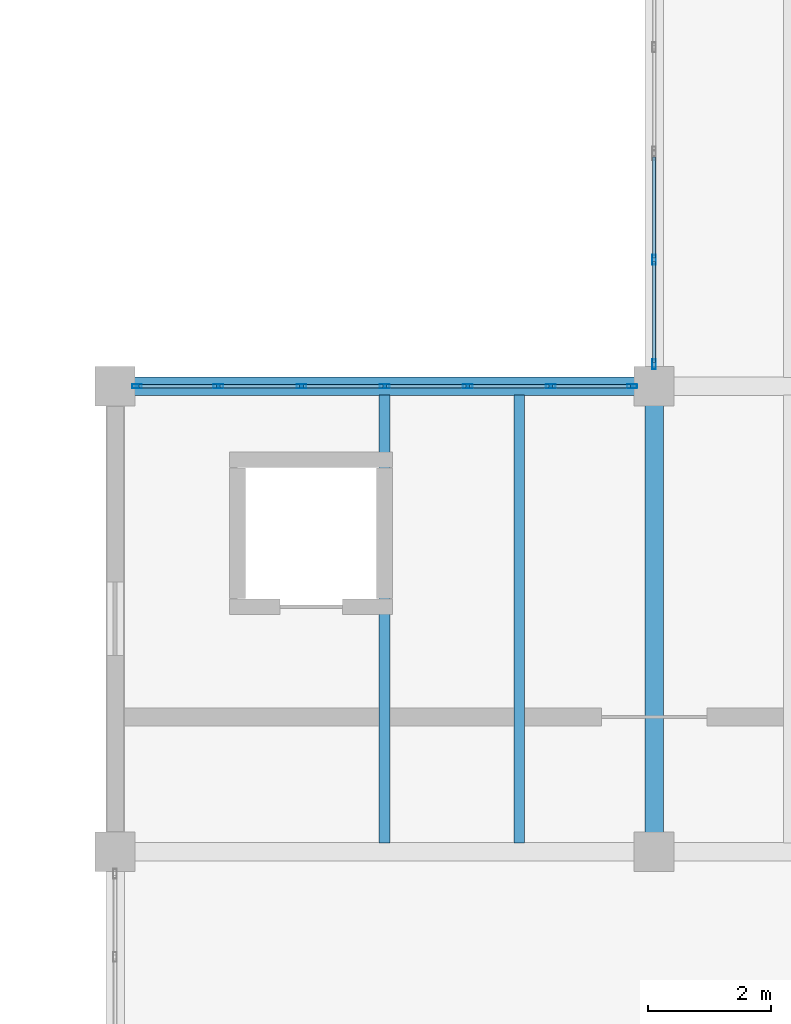
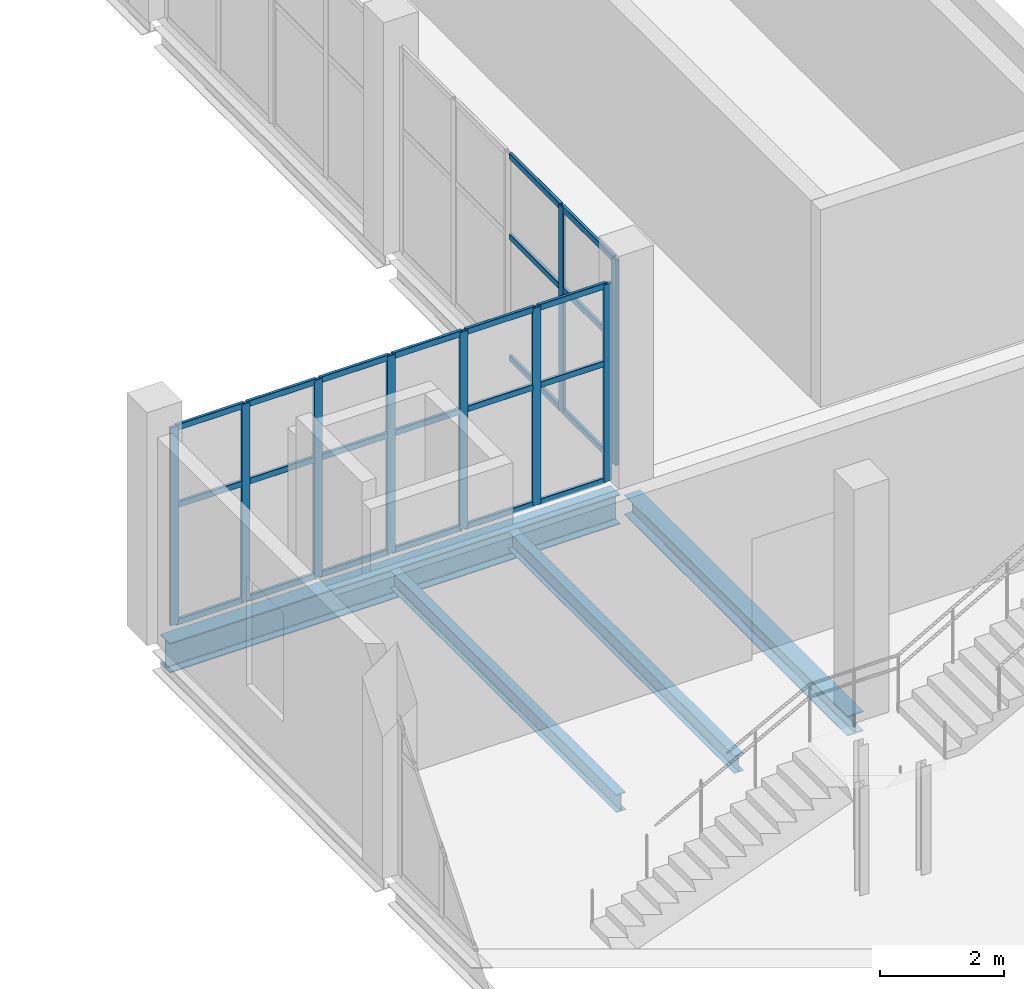
# One storey, part 96 of 172: 33 members, 4 beams, 2 elements without a shape of their own.
"""IFC4 building model written with IfcOpenShell, lengths in metres."""

from ifc_helpers import new_model, si_unit, direction, frame, origin, origin_2d, place, context, subcontext, project, spatial, hollow_rectangle, i_section, extrude, material, material_profile, profile_set, type_object, element, aggregate, save


model = new_model("IFC4")

# Units and contexts
model_context = context("Model", 3, precision=1e-05, world=origin(), true_north=direction((0.0, 1.0)))
body_context = subcontext(model_context, "Body", "Model", "MODEL_VIEW")
ifc_project = project(units=[si_unit("LENGTHUNIT", "METRE"), si_unit("AREAUNIT", "SQUARE_METRE"), si_unit("VOLUMEUNIT", "CUBIC_METRE"), si_unit("PLANEANGLEUNIT", "RADIAN"), si_unit("MASSUNIT", "GRAM", prefix="KILO")], contexts=[model_context])

# Site, building, storey
site_placement = place(None, origin())
site = spatial("IfcSite", under=ifc_project, at=site_placement, CompositionType="ELEMENT")
building_placement = place(site_placement, origin())
building = spatial("IfcBuilding", under=site, at=building_placement, Name="Shengluoqiao Park Theatre", CompositionType="ELEMENT")
storey_placement = place(building_placement, frame((0.0, 0.0, 5.39990234375)))
storey = spatial("IfcBuildingStorey", under=building, at=storey_placement, Name="L01", CompositionType="ELEMENT", Elevation=5.39990234375)

# Curtain wall, members
ifc_material_1 = material(Name="Aluminium 6063-T6", Category="aluminium")
curtain_wall_type = type_object("IfcCurtainWallType", Name="ENV-CW-COURT", PredefinedType="NOTDEFINED", material=ifc_material_1)
curtain_wall_1_placement = place(storey_placement, origin())
curtain_wall_1 = element("IfcCurtainWall", 1, at=curtain_wall_1_placement, inside=storey, type_object=curtain_wall_type, Name="L01 Curtain Wall CWX-L01-0179", PredefinedType="NOTDEFINED")
ifc_material_profile_1 = material_profile(ifc_material_1, hollow_rectangle(XDim=0.06005859375, YDim=0.159912109375, WallThickness=0.00390625, InnerFilletRadius=0.00390625, OuterFilletRadius=0.008056640625, at=origin_2d()), Name="ALU MULLION 160x60x4")
ifc_profile_set_1 = profile_set([ifc_material_profile_1], Name="Aluminium 6063-T6")
member_type_1 = type_object("IfcMemberType", Name="ENV-MUL-160", PredefinedType="MULLION", material=ifc_profile_set_1)
member_1_placement = place(storey_placement, frame((157.199951171875, 23.158935546875, 0.0), z_axis=(0.0, 0.0, 1.0), x_axis=(-1.0, 0.0, 0.0)))
member_1 = element("IfcMember", 2, at=member_1_placement, type_object=member_type_1, Name="CW-05 mullion 1", PredefinedType="MULLION", context=body_context, shape_type="SweptSolid", body=[
    extrude(hollow_rectangle(XDim=0.06005859375, YDim=0.159912109375, WallThickness=0.00390625, InnerFilletRadius=0.00390625, OuterFilletRadius=0.008056640625, at=origin_2d()), origin(), (0.0, 0.0, 1.0), 4.044189453125),
])
member_2_placement = place(storey_placement, frame((157.199951171875, 24.864501953125, 0.0), z_axis=(0.0, 0.0, 1.0), x_axis=(-1.0, 0.0, 0.0)))
member_2 = element("IfcMember", 3, at=member_2_placement, type_object=member_type_1, Name="CW-05 mullion 2", PredefinedType="MULLION", context=body_context, shape_type="SweptSolid", body=[
    extrude(hollow_rectangle(XDim=0.06005859375, YDim=0.159912109375, WallThickness=0.00390625, InnerFilletRadius=0.00390625, OuterFilletRadius=0.008056640625, at=origin_2d()), origin(), (0.0, 0.0, 1.0), 4.044189453125),
])

curtain_wall_2_placement = place(storey_placement, origin())
curtain_wall_2 = element("IfcCurtainWall", 4, at=curtain_wall_2_placement, inside=storey, type_object=curtain_wall_type, Name="L01 Curtain Wall CWX-L01-0206", PredefinedType="NOTDEFINED")
member_3_placement = place(storey_placement, frame((148.759033203125, 22.800048828125, 0.0), z_axis=(0.0, 0.0, 1.0), x_axis=(0.0, 1.0, 0.0)))
member_3 = element("IfcMember", 5, at=member_3_placement, type_object=member_type_1, Name="CW-05 mullion 1", PredefinedType="MULLION", context=body_context, shape_type="SweptSolid", body=[
    extrude(hollow_rectangle(XDim=0.06005859375, YDim=0.159912109375, WallThickness=0.00390625, InnerFilletRadius=0.00390625, OuterFilletRadius=0.008056640625, at=origin_2d()), origin(), (0.0, 0.0, 1.0), 3.898193359375),
])
member_4_placement = place(storey_placement, frame((150.0859375, 22.800048828125, 0.0), z_axis=(0.0, 0.0, 1.0), x_axis=(0.0, 1.0, 0.0)))
member_4 = element("IfcMember", 6, at=member_4_placement, type_object=member_type_1, Name="CW-05 mullion 2", PredefinedType="MULLION", context=body_context, shape_type="SweptSolid", body=[
    extrude(hollow_rectangle(XDim=0.06005859375, YDim=0.159912109375, WallThickness=0.00390625, InnerFilletRadius=0.00390625, OuterFilletRadius=0.008056640625, at=origin_2d()), origin(), (0.0, 0.0, 1.0), 3.898193359375),
])
member_5_placement = place(storey_placement, frame((151.443115234375, 22.800048828125, 0.0), z_axis=(0.0, 0.0, 1.0), x_axis=(0.0, 1.0, 0.0)))
member_5 = element("IfcMember", 7, at=member_5_placement, type_object=member_type_1, Name="CW-05 mullion 3", PredefinedType="MULLION", context=body_context, shape_type="SweptSolid", body=[
    extrude(hollow_rectangle(XDim=0.06005859375, YDim=0.159912109375, WallThickness=0.00390625, InnerFilletRadius=0.00390625, OuterFilletRadius=0.008056640625, at=origin_2d()), origin(), (0.0, 0.0, 1.0), 3.898193359375),
])
member_6_placement = place(storey_placement, frame((152.800048828125, 22.800048828125, 0.0), z_axis=(0.0, 0.0, 1.0), x_axis=(0.0, 1.0, 0.0)))
member_6 = element("IfcMember", 8, at=member_6_placement, type_object=member_type_1, Name="CW-05 mullion 4", PredefinedType="MULLION", context=body_context, shape_type="SweptSolid", body=[
    extrude(hollow_rectangle(XDim=0.06005859375, YDim=0.159912109375, WallThickness=0.00390625, InnerFilletRadius=0.00390625, OuterFilletRadius=0.008056640625, at=origin_2d()), origin(), (0.0, 0.0, 1.0), 3.898193359375),
])
member_7_placement = place(storey_placement, frame((154.156982421875, 22.800048828125, 0.0), z_axis=(0.0, 0.0, 1.0), x_axis=(0.0, 1.0, 0.0)))
member_7 = element("IfcMember", 9, at=member_7_placement, type_object=member_type_1, Name="CW-05 mullion 5", PredefinedType="MULLION", context=body_context, shape_type="SweptSolid", body=[
    extrude(hollow_rectangle(XDim=0.06005859375, YDim=0.159912109375, WallThickness=0.00390625, InnerFilletRadius=0.00390625, OuterFilletRadius=0.008056640625, at=origin_2d()), origin(), (0.0, 0.0, 1.0), 3.898193359375),
])
member_8_placement = place(storey_placement, frame((155.513916015625, 22.800048828125, 0.0), z_axis=(0.0, 0.0, 1.0), x_axis=(0.0, 1.0, 0.0)))
member_8 = element("IfcMember", 10, at=member_8_placement, type_object=member_type_1, Name="CW-05 mullion 6", PredefinedType="MULLION", context=body_context, shape_type="SweptSolid", body=[
    extrude(hollow_rectangle(XDim=0.06005859375, YDim=0.159912109375, WallThickness=0.00390625, InnerFilletRadius=0.00390625, OuterFilletRadius=0.008056640625, at=origin_2d()), origin(), (0.0, 0.0, 1.0), 3.898193359375),
])
member_9_placement = place(storey_placement, frame((156.841064453125, 22.800048828125, 0.0), z_axis=(0.0, 0.0, 1.0), x_axis=(0.0, 1.0, 0.0)))
member_9 = element("IfcMember", 11, at=member_9_placement, type_object=member_type_1, Name="CW-05 mullion 7", PredefinedType="MULLION", context=body_context, shape_type="SweptSolid", body=[
    extrude(hollow_rectangle(XDim=0.06005859375, YDim=0.159912109375, WallThickness=0.00390625, InnerFilletRadius=0.00390625, OuterFilletRadius=0.008056640625, at=origin_2d()), origin(), (0.0, 0.0, 1.0), 3.898193359375),
])

# Member
ifc_material_profile_2 = material_profile(ifc_material_1, hollow_rectangle(XDim=0.06005859375, YDim=0.1201171875, WallThickness=0.00390625, InnerFilletRadius=0.00390625, OuterFilletRadius=0.008056640625, at=origin_2d()), Name="ALU TRANSOM 120x60x4")
ifc_profile_set_2 = profile_set([ifc_material_profile_2], Name="Aluminium 6063-T6")
member_type_2 = type_object("IfcMemberType", Name="ENV-TRN-120", PredefinedType="USERDEFINED", material=ifc_profile_set_2)
member_10_placement = place(storey_placement, frame((157.199951171875, 23.18896484375, 0.030029296875), z_axis=(0.0, 1.0, 0.0), x_axis=(-1.0, 0.0, 0.0)))
member_10 = element("IfcMember", 12, at=member_10_placement, type_object=member_type_2, Name="CW-05 transom 1.1", ObjectType="TRANSOM", PredefinedType="USERDEFINED", context=body_context, shape_type="SweptSolid", body=[
    extrude(hollow_rectangle(XDim=0.06005859375, YDim=0.1201171875, WallThickness=0.00390625, InnerFilletRadius=0.00390625, OuterFilletRadius=0.008056640625, at=origin_2d()), origin(), (0.0, 0.0, 1.0), 1.6455078125),
])

member_11_placement = place(storey_placement, frame((157.199951171875, 23.18896484375, 2.426025390625), z_axis=(0.0, 1.0, 0.0), x_axis=(-1.0, 0.0, 0.0)))
member_11 = element("IfcMember", 13, at=member_11_placement, type_object=member_type_2, Name="CW-05 transom 1.2", ObjectType="TRANSOM", PredefinedType="USERDEFINED", context=body_context, shape_type="SweptSolid", body=[
    extrude(hollow_rectangle(XDim=0.06005859375, YDim=0.1201171875, WallThickness=0.00390625, InnerFilletRadius=0.00390625, OuterFilletRadius=0.008056640625, at=origin_2d()), origin(), (0.0, 0.0, 1.0), 1.6455078125),
])

member_12_placement = place(storey_placement, frame((157.199951171875, 23.18896484375, 4.01416015625), z_axis=(0.0, 1.0, 0.0), x_axis=(-1.0, 0.0, 0.0)))
member_12 = element("IfcMember", 14, at=member_12_placement, type_object=member_type_2, Name="CW-05 transom 1.3", ObjectType="TRANSOM", PredefinedType="USERDEFINED", context=body_context, shape_type="SweptSolid", body=[
    extrude(hollow_rectangle(XDim=0.06005859375, YDim=0.1201171875, WallThickness=0.00390625, InnerFilletRadius=0.00390625, OuterFilletRadius=0.008056640625, at=origin_2d()), origin(), (0.0, 0.0, 1.0), 1.6455078125),
])

member_13_placement = place(storey_placement, frame((157.199951171875, 24.89453125, 0.030029296875), z_axis=(0.0, 1.0, 0.0), x_axis=(-1.0, 0.0, 0.0)))
member_13 = element("IfcMember", 15, at=member_13_placement, type_object=member_type_2, Name="CW-05 transom 2.1", ObjectType="TRANSOM", PredefinedType="USERDEFINED", context=body_context, shape_type="SweptSolid", body=[
    extrude(hollow_rectangle(XDim=0.06005859375, YDim=0.1201171875, WallThickness=0.00390625, InnerFilletRadius=0.00390625, OuterFilletRadius=0.008056640625, at=origin_2d()), origin(), (0.0, 0.0, 1.0), 1.6455078125),
])

member_14_placement = place(storey_placement, frame((157.199951171875, 24.89453125, 2.426025390625), z_axis=(0.0, 1.0, 0.0), x_axis=(-1.0, 0.0, 0.0)))
member_14 = element("IfcMember", 16, at=member_14_placement, type_object=member_type_2, Name="CW-05 transom 2.2", ObjectType="TRANSOM", PredefinedType="USERDEFINED", context=body_context, shape_type="SweptSolid", body=[
    extrude(hollow_rectangle(XDim=0.06005859375, YDim=0.1201171875, WallThickness=0.00390625, InnerFilletRadius=0.00390625, OuterFilletRadius=0.008056640625, at=origin_2d()), origin(), (0.0, 0.0, 1.0), 1.6455078125),
])

member_15_placement = place(storey_placement, frame((157.199951171875, 24.89453125, 4.01416015625), z_axis=(0.0, 1.0, 0.0), x_axis=(-1.0, 0.0, 0.0)))
member_15 = element("IfcMember", 17, at=member_15_placement, type_object=member_type_2, Name="CW-05 transom 2.3", ObjectType="TRANSOM", PredefinedType="USERDEFINED", context=body_context, shape_type="SweptSolid", body=[
    extrude(hollow_rectangle(XDim=0.06005859375, YDim=0.1201171875, WallThickness=0.00390625, InnerFilletRadius=0.00390625, OuterFilletRadius=0.008056640625, at=origin_2d()), origin(), (0.0, 0.0, 1.0), 1.6455078125),
])

aggregate(curtain_wall_1, [member_1, member_2, member_10, member_11, member_12, member_13, member_14, member_15])

member_16_placement = place(storey_placement, frame((148.7890625, 22.800048828125, 0.030029296875), z_axis=(1.0, 0.0, 0.0), x_axis=(0.0, 1.0, 0.0)))
member_16 = element("IfcMember", 18, at=member_16_placement, type_object=member_type_2, Name="CW-05 transom 1.1", ObjectType="TRANSOM", PredefinedType="USERDEFINED", context=body_context, shape_type="SweptSolid", body=[
    extrude(hollow_rectangle(XDim=0.06005859375, YDim=0.1201171875, WallThickness=0.00390625, InnerFilletRadius=0.00390625, OuterFilletRadius=0.008056640625, at=origin_2d()), origin(), (0.0, 0.0, 1.0), 1.266845703125),
])

member_17_placement = place(storey_placement, frame((148.7890625, 22.800048828125, 2.339111328125), z_axis=(1.0, 0.0, 0.0), x_axis=(0.0, 1.0, 0.0)))
member_17 = element("IfcMember", 19, at=member_17_placement, type_object=member_type_2, Name="CW-05 transom 1.2", ObjectType="TRANSOM", PredefinedType="USERDEFINED", context=body_context, shape_type="SweptSolid", body=[
    extrude(hollow_rectangle(XDim=0.06005859375, YDim=0.1201171875, WallThickness=0.00390625, InnerFilletRadius=0.00390625, OuterFilletRadius=0.008056640625, at=origin_2d()), origin(), (0.0, 0.0, 1.0), 1.266845703125),
])

member_18_placement = place(storey_placement, frame((148.7890625, 22.800048828125, 3.8681640625), z_axis=(1.0, 0.0, 0.0), x_axis=(0.0, 1.0, 0.0)))
member_18 = element("IfcMember", 20, at=member_18_placement, type_object=member_type_2, Name="CW-05 transom 1.3", ObjectType="TRANSOM", PredefinedType="USERDEFINED", context=body_context, shape_type="SweptSolid", body=[
    extrude(hollow_rectangle(XDim=0.06005859375, YDim=0.1201171875, WallThickness=0.00390625, InnerFilletRadius=0.00390625, OuterFilletRadius=0.008056640625, at=origin_2d()), origin(), (0.0, 0.0, 1.0), 1.266845703125),
])

member_19_placement = place(storey_placement, frame((150.115966796875, 22.800048828125, 0.030029296875), z_axis=(1.0, 0.0, 0.0), x_axis=(0.0, 1.0, 0.0)))
member_19 = element("IfcMember", 21, at=member_19_placement, type_object=member_type_2, Name="CW-05 transom 2.1", ObjectType="TRANSOM", PredefinedType="USERDEFINED", context=body_context, shape_type="SweptSolid", body=[
    extrude(hollow_rectangle(XDim=0.06005859375, YDim=0.1201171875, WallThickness=0.00390625, InnerFilletRadius=0.00390625, OuterFilletRadius=0.008056640625, at=origin_2d()), origin(), (0.0, 0.0, 1.0), 1.297119140625),
])

member_20_placement = place(storey_placement, frame((150.115966796875, 22.800048828125, 2.339111328125), z_axis=(1.0, 0.0, 0.0), x_axis=(0.0, 1.0, 0.0)))
member_20 = element("IfcMember", 22, at=member_20_placement, type_object=member_type_2, Name="CW-05 transom 2.2", ObjectType="TRANSOM", PredefinedType="USERDEFINED", context=body_context, shape_type="SweptSolid", body=[
    extrude(hollow_rectangle(XDim=0.06005859375, YDim=0.1201171875, WallThickness=0.00390625, InnerFilletRadius=0.00390625, OuterFilletRadius=0.008056640625, at=origin_2d()), origin(), (0.0, 0.0, 1.0), 1.297119140625),
])

member_21_placement = place(storey_placement, frame((150.115966796875, 22.800048828125, 3.8681640625), z_axis=(1.0, 0.0, 0.0), x_axis=(0.0, 1.0, 0.0)))
member_21 = element("IfcMember", 23, at=member_21_placement, type_object=member_type_2, Name="CW-05 transom 2.3", ObjectType="TRANSOM", PredefinedType="USERDEFINED", context=body_context, shape_type="SweptSolid", body=[
    extrude(hollow_rectangle(XDim=0.06005859375, YDim=0.1201171875, WallThickness=0.00390625, InnerFilletRadius=0.00390625, OuterFilletRadius=0.008056640625, at=origin_2d()), origin(), (0.0, 0.0, 1.0), 1.297119140625),
])

member_22_placement = place(storey_placement, frame((151.472900390625, 22.800048828125, 0.030029296875), z_axis=(1.0, 0.0, 0.0), x_axis=(0.0, 1.0, 0.0)))
member_22 = element("IfcMember", 24, at=member_22_placement, type_object=member_type_2, Name="CW-05 transom 3.1", ObjectType="TRANSOM", PredefinedType="USERDEFINED", context=body_context, shape_type="SweptSolid", body=[
    extrude(hollow_rectangle(XDim=0.06005859375, YDim=0.1201171875, WallThickness=0.00390625, InnerFilletRadius=0.00390625, OuterFilletRadius=0.008056640625, at=origin_2d()), origin(), (0.0, 0.0, 1.0), 1.297119140625),
])

member_23_placement = place(storey_placement, frame((151.472900390625, 22.800048828125, 2.339111328125), z_axis=(1.0, 0.0, 0.0), x_axis=(0.0, 1.0, 0.0)))
member_23 = element("IfcMember", 25, at=member_23_placement, type_object=member_type_2, Name="CW-05 transom 3.2", ObjectType="TRANSOM", PredefinedType="USERDEFINED", context=body_context, shape_type="SweptSolid", body=[
    extrude(hollow_rectangle(XDim=0.06005859375, YDim=0.1201171875, WallThickness=0.00390625, InnerFilletRadius=0.00390625, OuterFilletRadius=0.008056640625, at=origin_2d()), origin(), (0.0, 0.0, 1.0), 1.297119140625),
])

member_24_placement = place(storey_placement, frame((151.472900390625, 22.800048828125, 3.8681640625), z_axis=(1.0, 0.0, 0.0), x_axis=(0.0, 1.0, 0.0)))
member_24 = element("IfcMember", 26, at=member_24_placement, type_object=member_type_2, Name="CW-05 transom 3.3", ObjectType="TRANSOM", PredefinedType="USERDEFINED", context=body_context, shape_type="SweptSolid", body=[
    extrude(hollow_rectangle(XDim=0.06005859375, YDim=0.1201171875, WallThickness=0.00390625, InnerFilletRadius=0.00390625, OuterFilletRadius=0.008056640625, at=origin_2d()), origin(), (0.0, 0.0, 1.0), 1.297119140625),
])

member_25_placement = place(storey_placement, frame((152.830078125, 22.800048828125, 0.030029296875), z_axis=(1.0, 0.0, 0.0), x_axis=(0.0, 1.0, 0.0)))
member_25 = element("IfcMember", 27, at=member_25_placement, type_object=member_type_2, Name="CW-05 transom 4.1", ObjectType="TRANSOM", PredefinedType="USERDEFINED", context=body_context, shape_type="SweptSolid", body=[
    extrude(hollow_rectangle(XDim=0.06005859375, YDim=0.1201171875, WallThickness=0.00390625, InnerFilletRadius=0.00390625, OuterFilletRadius=0.008056640625, at=origin_2d()), origin(), (0.0, 0.0, 1.0), 1.296875),
])

member_26_placement = place(storey_placement, frame((152.830078125, 22.800048828125, 2.339111328125), z_axis=(1.0, 0.0, 0.0), x_axis=(0.0, 1.0, 0.0)))
member_26 = element("IfcMember", 28, at=member_26_placement, type_object=member_type_2, Name="CW-05 transom 4.2", ObjectType="TRANSOM", PredefinedType="USERDEFINED", context=body_context, shape_type="SweptSolid", body=[
    extrude(hollow_rectangle(XDim=0.06005859375, YDim=0.1201171875, WallThickness=0.00390625, InnerFilletRadius=0.00390625, OuterFilletRadius=0.008056640625, at=origin_2d()), origin(), (0.0, 0.0, 1.0), 1.296875),
])

member_27_placement = place(storey_placement, frame((152.830078125, 22.800048828125, 3.8681640625), z_axis=(1.0, 0.0, 0.0), x_axis=(0.0, 1.0, 0.0)))
member_27 = element("IfcMember", 29, at=member_27_placement, type_object=member_type_2, Name="CW-05 transom 4.3", ObjectType="TRANSOM", PredefinedType="USERDEFINED", context=body_context, shape_type="SweptSolid", body=[
    extrude(hollow_rectangle(XDim=0.06005859375, YDim=0.1201171875, WallThickness=0.00390625, InnerFilletRadius=0.00390625, OuterFilletRadius=0.008056640625, at=origin_2d()), origin(), (0.0, 0.0, 1.0), 1.296875),
])

member_28_placement = place(storey_placement, frame((154.18701171875, 22.800048828125, 0.030029296875), z_axis=(1.0, 0.0, 0.0), x_axis=(0.0, 1.0, 0.0)))
member_28 = element("IfcMember", 30, at=member_28_placement, type_object=member_type_2, Name="CW-05 transom 5.1", ObjectType="TRANSOM", PredefinedType="USERDEFINED", context=body_context, shape_type="SweptSolid", body=[
    extrude(hollow_rectangle(XDim=0.06005859375, YDim=0.1201171875, WallThickness=0.00390625, InnerFilletRadius=0.00390625, OuterFilletRadius=0.008056640625, at=origin_2d()), origin(), (0.0, 0.0, 1.0), 1.296875),
])

member_29_placement = place(storey_placement, frame((154.18701171875, 22.800048828125, 2.339111328125), z_axis=(1.0, 0.0, 0.0), x_axis=(0.0, 1.0, 0.0)))
member_29 = element("IfcMember", 31, at=member_29_placement, type_object=member_type_2, Name="CW-05 transom 5.2", ObjectType="TRANSOM", PredefinedType="USERDEFINED", context=body_context, shape_type="SweptSolid", body=[
    extrude(hollow_rectangle(XDim=0.06005859375, YDim=0.1201171875, WallThickness=0.00390625, InnerFilletRadius=0.00390625, OuterFilletRadius=0.008056640625, at=origin_2d()), origin(), (0.0, 0.0, 1.0), 1.296875),
])

member_30_placement = place(storey_placement, frame((154.18701171875, 22.800048828125, 3.8681640625), z_axis=(1.0, 0.0, 0.0), x_axis=(0.0, 1.0, 0.0)))
member_30 = element("IfcMember", 32, at=member_30_placement, type_object=member_type_2, Name="CW-05 transom 5.3", ObjectType="TRANSOM", PredefinedType="USERDEFINED", context=body_context, shape_type="SweptSolid", body=[
    extrude(hollow_rectangle(XDim=0.06005859375, YDim=0.1201171875, WallThickness=0.00390625, InnerFilletRadius=0.00390625, OuterFilletRadius=0.008056640625, at=origin_2d()), origin(), (0.0, 0.0, 1.0), 1.296875),
])

member_31_placement = place(storey_placement, frame((155.5439453125, 22.800048828125, 0.030029296875), z_axis=(1.0, 0.0, 0.0), x_axis=(0.0, 1.0, 0.0)))
member_31 = element("IfcMember", 33, at=member_31_placement, type_object=member_type_2, Name="CW-05 transom 6.1", ObjectType="TRANSOM", PredefinedType="USERDEFINED", context=body_context, shape_type="SweptSolid", body=[
    extrude(hollow_rectangle(XDim=0.06005859375, YDim=0.1201171875, WallThickness=0.00390625, InnerFilletRadius=0.00390625, OuterFilletRadius=0.008056640625, at=origin_2d()), origin(), (0.0, 0.0, 1.0), 1.26708984375),
])

member_32_placement = place(storey_placement, frame((155.5439453125, 22.800048828125, 2.339111328125), z_axis=(1.0, 0.0, 0.0), x_axis=(0.0, 1.0, 0.0)))
member_32 = element("IfcMember", 34, at=member_32_placement, type_object=member_type_2, Name="CW-05 transom 6.2", ObjectType="TRANSOM", PredefinedType="USERDEFINED", context=body_context, shape_type="SweptSolid", body=[
    extrude(hollow_rectangle(XDim=0.06005859375, YDim=0.1201171875, WallThickness=0.00390625, InnerFilletRadius=0.00390625, OuterFilletRadius=0.008056640625, at=origin_2d()), origin(), (0.0, 0.0, 1.0), 1.26708984375),
])

member_33_placement = place(storey_placement, frame((155.5439453125, 22.800048828125, 3.8681640625), z_axis=(1.0, 0.0, 0.0), x_axis=(0.0, 1.0, 0.0)))
member_33 = element("IfcMember", 35, at=member_33_placement, type_object=member_type_2, Name="CW-05 transom 6.3", ObjectType="TRANSOM", PredefinedType="USERDEFINED", context=body_context, shape_type="SweptSolid", body=[
    extrude(hollow_rectangle(XDim=0.06005859375, YDim=0.1201171875, WallThickness=0.00390625, InnerFilletRadius=0.00390625, OuterFilletRadius=0.008056640625, at=origin_2d()), origin(), (0.0, 0.0, 1.0), 1.26708984375),
])

aggregate(curtain_wall_2, [member_3, member_4, member_5, member_6, member_7, member_8, member_9, member_16, member_17, member_18, member_19, member_20, member_21, member_22, member_23, member_24, member_25, member_26, member_27, member_28, member_29, member_30, member_31, member_32, member_33])

# Beams
ifc_material_2 = material(Name="Steel Q355", Category="steel")
ifc_material_profile_3 = material_profile(ifc_material_2, i_section(OverallWidth=0.300048828125, OverallDepth=0.389892578125, WebThickness=0.010009765625, FlangeThickness=0.01611328125, FilletRadius=0.01806640625, at=origin_2d()), Name="HM 390x300x10x16")
ifc_profile_set_3 = profile_set([ifc_material_profile_3], Name="Steel Q355")
beam_type_1 = type_object("IfcBeamType", Name="STR-BM-G-HM390", PredefinedType="BEAM", material=ifc_profile_set_3)
beam_1_placement = place(storey_placement, frame((157.199951171875, 15.39404296875, -0.434814453125), z_axis=(0.0, 1.0, 0.0), x_axis=(-1.0, 0.0, 0.0)))
element("IfcBeam", 36, at=beam_1_placement, inside=storey, type_object=beam_type_1, Name="L01 Transverse Girder 00778", PredefinedType="BEAM", context=body_context, shape_type="SweptSolid", body=[
    extrude(i_section(OverallWidth=0.300048828125, OverallDepth=0.389892578125, WebThickness=0.010009765625, FlangeThickness=0.01611328125, FilletRadius=0.01806640625, at=origin_2d()), origin(), (0.0, 0.0, 1.0), 7.2119140625),
])
ifc_material_profile_4 = material_profile(ifc_material_2, i_section(OverallWidth=0.300048828125, OverallDepth=0.587890625, WebThickness=0.011962890625, FlangeThickness=0.02001953125, FilletRadius=0.02392578125, at=origin_2d()), Name="HM 588x300x12x20")
ifc_profile_set_4 = profile_set([ifc_material_profile_4], Name="Steel Q355")
beam_type_2 = type_object("IfcBeamType", Name="STR-BM-G-HM588", PredefinedType="BEAM", material=ifc_profile_set_4)
beam_2_placement = place(storey_placement, frame((148.597900390625, 22.800048828125, -0.533935546875), z_axis=(1.0, 0.0, 0.0), x_axis=(0.0, 1.0, 0.0)))
element("IfcBeam", 37, at=beam_2_placement, inside=storey, type_object=beam_type_2, Name="L01 Primary Girder 00774", PredefinedType="BEAM", context=body_context, shape_type="SweptSolid", body=[
    extrude(i_section(OverallWidth=0.300048828125, OverallDepth=0.587890625, WebThickness=0.011962890625, FlangeThickness=0.02001953125, FilletRadius=0.02392578125, at=origin_2d()), origin(), (0.0, 0.0, 1.0), 8.404052734375),
])
ifc_material_profile_5 = material_profile(ifc_material_2, i_section(OverallWidth=0.175048828125, OverallDepth=0.35009765625, WebThickness=0.007080078125, FlangeThickness=0.010986328125, FilletRadius=0.013916015625, at=origin_2d()), Name="HN 350x175x7x11")
ifc_profile_set_5 = profile_set([ifc_material_profile_5], Name="Steel Q355")
beam_type_3 = type_object("IfcBeamType", Name="STR-BM-J-HN350", PredefinedType="JOIST", material=ifc_profile_set_5)
for number, where, z_axis, x_axis, name in (
    (38, (152.800048828125, 15.344970703125, -0.414794921875), (0.0, 1.0, 0.0), (-1.0, 0.0, 0.0), "L01 Composite Joist 00782"),
    (39, (155.0, 15.344970703125, -0.414794921875), (0.0, 1.0, 0.0), (-1.0, 0.0, 0.0), "L01 Composite Joist 00783"),
):
    element("IfcBeam", number, at=place(storey_placement, frame(where, z_axis=z_axis, x_axis=x_axis)), inside=storey, type_object=beam_type_3, Name=name, PredefinedType="JOIST", context=body_context, shape_type="SweptSolid", body=[
        extrude(i_section(OverallWidth=0.175048828125, OverallDepth=0.35009765625, WebThickness=0.007080078125, FlangeThickness=0.010986328125, FilletRadius=0.013916015625, at=origin_2d()), origin(), (0.0, 0.0, 1.0), 7.31005859375),
    ])

save(model, "model.ifc")
